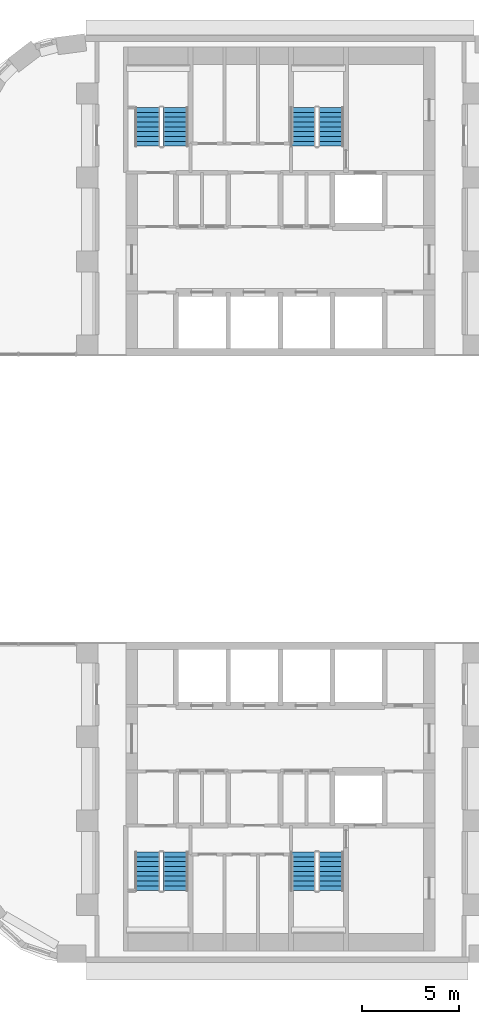
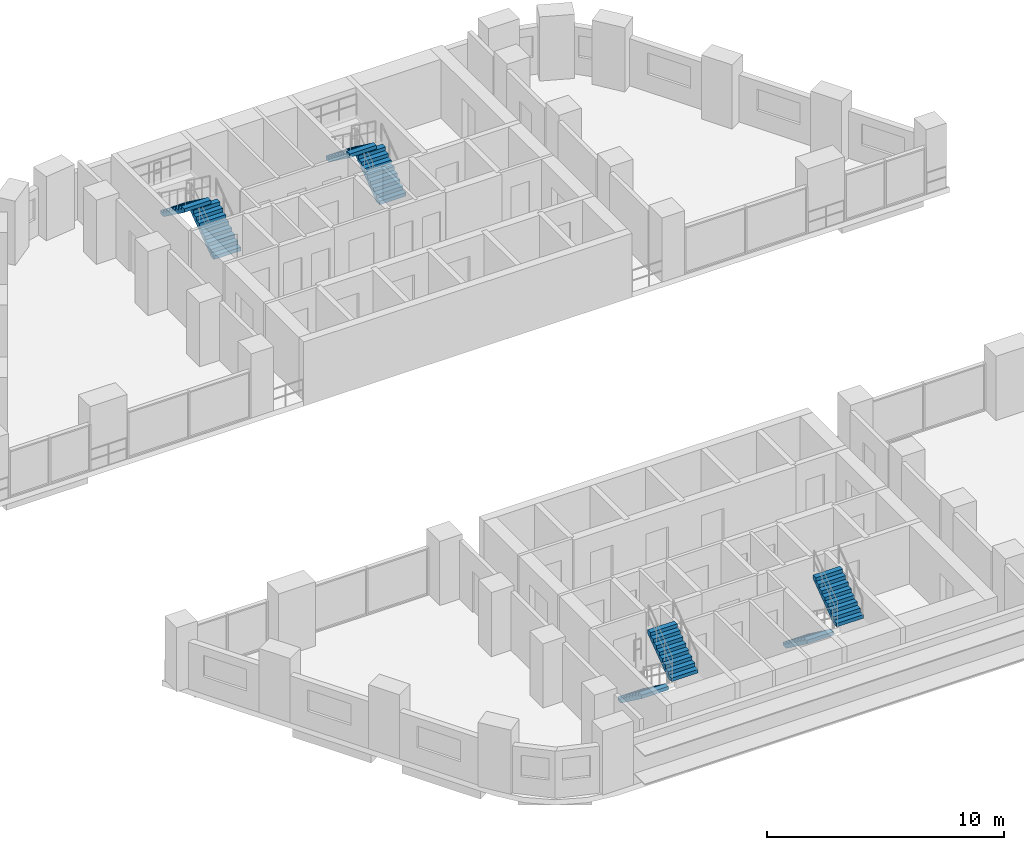
# One storey, part 9 of 11: 8 stair flights, 4 elements without a shape of their own.
"""IFC4 building model written with IfcOpenShell, lengths in metres."""

from ifc_helpers import new_model, si_unit, direction, frame, origin, place, context, subcontext, project, spatial, polyline, outline, extrude, material, type_object, element, aggregate, save


model = new_model("IFC4")

# Units and contexts
model_context = context("Model", 3, precision=1e-05, world=origin(), true_north=direction((0.0, 1.0)))
body_context = subcontext(model_context, "Body", "Model", "MODEL_VIEW")
ifc_project = project(units=[si_unit("LENGTHUNIT", "METRE"), si_unit("AREAUNIT", "SQUARE_METRE"), si_unit("VOLUMEUNIT", "CUBIC_METRE"), si_unit("PLANEANGLEUNIT", "RADIAN"), si_unit("MASSUNIT", "GRAM", prefix="KILO")], contexts=[model_context])

# Site, building, storey
site_placement = place(None, origin())
site = spatial("IfcSite", under=ifc_project, at=site_placement, CompositionType="ELEMENT")
building_placement = place(site_placement, origin())
building = spatial("IfcBuilding", under=site, at=building_placement, Name="Nakaniwa Court", CompositionType="ELEMENT")
storey_placement = place(building_placement, frame((0.0, 0.0, 31.5)))
storey = spatial("IfcBuildingStorey", under=building, at=storey_placement, Name="L07", CompositionType="ELEMENT", Elevation=31.5)

# Stair, stair flights
ifc_material = material(Name="Concrete C80/100", Category="concrete")
stair_type = type_object("IfcStairType", Name="Dog leg stair 1300 wide 18 risers", PredefinedType="HALF_TURN_STAIR", material=ifc_material)
stair_1_placement = place(storey_placement, origin())
stair_1 = element("IfcStair", 1, at=stair_1_placement, inside=storey, type_object=stair_type, Name="L07 Stair ST1", PredefinedType="HALF_TURN_STAIR")
stair_flight_type = type_object("IfcStairFlightType", Name="Stair flight 1300 wide 9 risers", PredefinedType="STRAIGHT", material=ifc_material)
stair_flight_1_placement = place(storey_placement, frame((74.574951171875, 98.27490234375, 0.0), z_axis=(0.0, 0.0, 1.0), x_axis=(0.0, 1.0, 0.0)))
stair_flight_1 = element("IfcStairFlight", 2, at=stair_flight_1_placement, type_object=stair_flight_type, Name="ST1 flight 1", NumberOfRisers=9, NumberOfTreads=8, PredefinedType="STRAIGHT", RiserHeight=0.183333333, TreadLength=0.25, context=body_context, shape_type="SweptSolid", body=[
    extrude(outline(polyline([(0.0, 0.0), (0.0, 0.026123046875), (0.0, 0.052490234375), (0.0, 0.07861328125), (0.0, 0.104736328125), (0.0, 0.130859375), (0.0, 0.1572265625), (0.0, 0.183349609375), (0.25, 0.183349609375), (0.25, 0.36669921875), (0.5, 0.36669921875), (0.5, 0.550048828125), (0.75, 0.550048828125), (0.75, 0.7333984375), (1.0, 0.7333984375), (1.0, 0.916748046875), (1.25, 0.916748046875), (1.25, 1.10009765625), (1.5, 1.10009765625), (1.5, 1.283447265625), (1.75, 1.283447265625), (1.75, 1.466552734375), (2.0, 1.466552734375), (2.0, 1.64990234375), (2.0, 1.59716796875), (2.0, 1.54443359375), (2.0, 1.49169921875), (2.0, 1.43896484375), (2.0, 1.38623046875), (2.0, 1.33349609375), (2.0, 1.28076171875), (0.25341796875, 0.0), (0.0, 0.0)])), frame((0.0, 0.64990234375, 0.0), z_axis=(0.0, -1.0, 0.0), x_axis=(1.0, 0.0, 0.0)), (0.0, 0.0, 1.0), 1.300048828125),
])
stair_flight_2_placement = place(storey_placement, frame((73.125, 100.27490234375, 1.64990234375), z_axis=(0.0, 0.0, 1.0), x_axis=(0.0, -1.0, 0.0)))
stair_flight_2 = element("IfcStairFlight", 3, at=stair_flight_2_placement, type_object=stair_flight_type, Name="ST1 flight 2", NumberOfRisers=9, NumberOfTreads=8, PredefinedType="STRAIGHT", RiserHeight=0.183333333, TreadLength=0.25, context=body_context, shape_type="SweptSolid", body=[
    extrude(outline(polyline([(0.0, 0.0), (0.0, 0.026123046875), (0.0, 0.052490234375), (0.0, 0.07861328125), (0.0, 0.104736328125), (0.0, 0.130859375), (0.0, 0.1572265625), (0.0, 0.183349609375), (0.25, 0.183349609375), (0.25, 0.36669921875), (0.5, 0.36669921875), (0.5, 0.550048828125), (0.75, 0.550048828125), (0.75, 0.7333984375), (1.0, 0.7333984375), (1.0, 0.916748046875), (1.25, 0.916748046875), (1.25, 1.10009765625), (1.5, 1.10009765625), (1.5, 1.283447265625), (1.75, 1.283447265625), (1.75, 1.466552734375), (2.0, 1.466552734375), (2.0, 1.64990234375), (2.0, 1.59716796875), (2.0, 1.54443359375), (2.0, 1.49169921875), (2.0, 1.43896484375), (2.0, 1.38623046875), (2.0, 1.33349609375), (2.0, 1.28076171875), (0.25341796875, 0.0), (0.0, 0.0)])), frame((0.0, 0.64990234375, 0.0), z_axis=(0.0, -1.0, 0.0), x_axis=(1.0, 0.0, 0.0)), (0.0, 0.0, 1.0), 1.300048828125),
])
aggregate(stair_1, [stair_flight_1, stair_flight_2])

stair_2_placement = place(storey_placement, origin())
stair_2 = element("IfcStair", 4, at=stair_2_placement, inside=storey, type_object=stair_type, Name="L07 Stair ST2", PredefinedType="HALF_TURN_STAIR")
stair_flight_3_placement = place(storey_placement, frame((82.625, 98.27490234375, 0.0), z_axis=(0.0, 0.0, 1.0), x_axis=(0.0, 1.0, 0.0)))
stair_flight_3 = element("IfcStairFlight", 5, at=stair_flight_3_placement, type_object=stair_flight_type, Name="ST2 flight 1", NumberOfRisers=9, NumberOfTreads=8, PredefinedType="STRAIGHT", RiserHeight=0.183333333, TreadLength=0.25, context=body_context, shape_type="SweptSolid", body=[
    extrude(outline(polyline([(0.0, 0.0), (0.0, 0.026123046875), (0.0, 0.052490234375), (0.0, 0.07861328125), (0.0, 0.104736328125), (0.0, 0.130859375), (0.0, 0.1572265625), (0.0, 0.183349609375), (0.25, 0.183349609375), (0.25, 0.36669921875), (0.5, 0.36669921875), (0.5, 0.550048828125), (0.75, 0.550048828125), (0.75, 0.7333984375), (1.0, 0.7333984375), (1.0, 0.916748046875), (1.25, 0.916748046875), (1.25, 1.10009765625), (1.5, 1.10009765625), (1.5, 1.283447265625), (1.75, 1.283447265625), (1.75, 1.466552734375), (2.0, 1.466552734375), (2.0, 1.64990234375), (2.0, 1.59716796875), (2.0, 1.54443359375), (2.0, 1.49169921875), (2.0, 1.43896484375), (2.0, 1.38623046875), (2.0, 1.33349609375), (2.0, 1.28076171875), (0.25341796875, 0.0), (0.0, 0.0)])), frame((0.0, 0.64990234375, 0.0), z_axis=(0.0, -1.0, 0.0), x_axis=(1.0, 0.0, 0.0)), (0.0, 0.0, 1.0), 1.300048828125),
])
stair_flight_4_placement = place(storey_placement, frame((81.175048828125, 100.27490234375, 1.64990234375), z_axis=(0.0, 0.0, 1.0), x_axis=(0.0, -1.0, 0.0)))
stair_flight_4 = element("IfcStairFlight", 6, at=stair_flight_4_placement, type_object=stair_flight_type, Name="ST2 flight 2", NumberOfRisers=9, NumberOfTreads=8, PredefinedType="STRAIGHT", RiserHeight=0.183333333, TreadLength=0.25, context=body_context, shape_type="SweptSolid", body=[
    extrude(outline(polyline([(0.0, 0.0), (0.0, 0.026123046875), (0.0, 0.052490234375), (0.0, 0.07861328125), (0.0, 0.104736328125), (0.0, 0.130859375), (0.0, 0.1572265625), (0.0, 0.183349609375), (0.25, 0.183349609375), (0.25, 0.36669921875), (0.5, 0.36669921875), (0.5, 0.550048828125), (0.75, 0.550048828125), (0.75, 0.7333984375), (1.0, 0.7333984375), (1.0, 0.916748046875), (1.25, 0.916748046875), (1.25, 1.10009765625), (1.5, 1.10009765625), (1.5, 1.283447265625), (1.75, 1.283447265625), (1.75, 1.466552734375), (2.0, 1.466552734375), (2.0, 1.64990234375), (2.0, 1.59716796875), (2.0, 1.54443359375), (2.0, 1.49169921875), (2.0, 1.43896484375), (2.0, 1.38623046875), (2.0, 1.33349609375), (2.0, 1.28076171875), (0.25341796875, 0.0), (0.0, 0.0)])), frame((0.0, 0.64990234375, 0.0), z_axis=(0.0, -1.0, 0.0), x_axis=(1.0, 0.0, 0.0)), (0.0, 0.0, 1.0), 1.300048828125),
])
aggregate(stair_2, [stair_flight_3, stair_flight_4])

stair_3_placement = place(storey_placement, origin())
stair_3 = element("IfcStair", 7, at=stair_3_placement, inside=storey, type_object=stair_type, Name="L07 Stair ST3", PredefinedType="HALF_TURN_STAIR")
stair_flight_5_placement = place(storey_placement, frame((73.125, 61.72509765625, 0.0), z_axis=(0.0, 0.0, 1.0), x_axis=(0.0, -1.0, 0.0)))
stair_flight_5 = element("IfcStairFlight", 8, at=stair_flight_5_placement, type_object=stair_flight_type, Name="ST3 flight 1", NumberOfRisers=9, NumberOfTreads=8, PredefinedType="STRAIGHT", RiserHeight=0.183333333, TreadLength=0.25, context=body_context, shape_type="SweptSolid", body=[
    extrude(outline(polyline([(0.0, 0.0), (0.0, 0.026123046875), (0.0, 0.052490234375), (0.0, 0.07861328125), (0.0, 0.104736328125), (0.0, 0.130859375), (0.0, 0.1572265625), (0.0, 0.183349609375), (0.25, 0.183349609375), (0.25, 0.36669921875), (0.5, 0.36669921875), (0.5, 0.550048828125), (0.75, 0.550048828125), (0.75, 0.7333984375), (1.0, 0.7333984375), (1.0, 0.916748046875), (1.25, 0.916748046875), (1.25, 1.10009765625), (1.5, 1.10009765625), (1.5, 1.283447265625), (1.75, 1.283447265625), (1.75, 1.466552734375), (2.0, 1.466552734375), (2.0, 1.64990234375), (2.0, 1.59716796875), (2.0, 1.54443359375), (2.0, 1.49169921875), (2.0, 1.43896484375), (2.0, 1.38623046875), (2.0, 1.33349609375), (2.0, 1.28076171875), (0.25341796875, 0.0), (0.0, 0.0)])), frame((0.0, 0.64990234375, 0.0), z_axis=(0.0, -1.0, 0.0), x_axis=(1.0, 0.0, 0.0)), (0.0, 0.0, 1.0), 1.300048828125),
])
stair_flight_6_placement = place(storey_placement, frame((74.574951171875, 59.72509765625, 1.64990234375), z_axis=(0.0, 0.0, 1.0), x_axis=(0.0, 1.0, 0.0)))
stair_flight_6 = element("IfcStairFlight", 9, at=stair_flight_6_placement, type_object=stair_flight_type, Name="ST3 flight 2", NumberOfRisers=9, NumberOfTreads=8, PredefinedType="STRAIGHT", RiserHeight=0.183333333, TreadLength=0.25, context=body_context, shape_type="SweptSolid", body=[
    extrude(outline(polyline([(0.0, 0.0), (0.0, 0.026123046875), (0.0, 0.052490234375), (0.0, 0.07861328125), (0.0, 0.104736328125), (0.0, 0.130859375), (0.0, 0.1572265625), (0.0, 0.183349609375), (0.25, 0.183349609375), (0.25, 0.36669921875), (0.5, 0.36669921875), (0.5, 0.550048828125), (0.75, 0.550048828125), (0.75, 0.7333984375), (1.0, 0.7333984375), (1.0, 0.916748046875), (1.25, 0.916748046875), (1.25, 1.10009765625), (1.5, 1.10009765625), (1.5, 1.283447265625), (1.75, 1.283447265625), (1.75, 1.466552734375), (2.0, 1.466552734375), (2.0, 1.64990234375), (2.0, 1.59716796875), (2.0, 1.54443359375), (2.0, 1.49169921875), (2.0, 1.43896484375), (2.0, 1.38623046875), (2.0, 1.33349609375), (2.0, 1.28076171875), (0.25341796875, 0.0), (0.0, 0.0)])), frame((0.0, 0.64990234375, 0.0), z_axis=(0.0, -1.0, 0.0), x_axis=(1.0, 0.0, 0.0)), (0.0, 0.0, 1.0), 1.300048828125),
])
aggregate(stair_3, [stair_flight_5, stair_flight_6])

stair_4_placement = place(storey_placement, origin())
stair_4 = element("IfcStair", 10, at=stair_4_placement, inside=storey, type_object=stair_type, Name="L07 Stair ST4", PredefinedType="HALF_TURN_STAIR")
stair_flight_7_placement = place(storey_placement, frame((81.175048828125, 61.72509765625, 0.0), z_axis=(0.0, 0.0, 1.0), x_axis=(0.0, -1.0, 0.0)))
stair_flight_7 = element("IfcStairFlight", 11, at=stair_flight_7_placement, type_object=stair_flight_type, Name="ST4 flight 1", NumberOfRisers=9, NumberOfTreads=8, PredefinedType="STRAIGHT", RiserHeight=0.183333333, TreadLength=0.25, context=body_context, shape_type="SweptSolid", body=[
    extrude(outline(polyline([(0.0, 0.0), (0.0, 0.026123046875), (0.0, 0.052490234375), (0.0, 0.07861328125), (0.0, 0.104736328125), (0.0, 0.130859375), (0.0, 0.1572265625), (0.0, 0.183349609375), (0.25, 0.183349609375), (0.25, 0.36669921875), (0.5, 0.36669921875), (0.5, 0.550048828125), (0.75, 0.550048828125), (0.75, 0.7333984375), (1.0, 0.7333984375), (1.0, 0.916748046875), (1.25, 0.916748046875), (1.25, 1.10009765625), (1.5, 1.10009765625), (1.5, 1.283447265625), (1.75, 1.283447265625), (1.75, 1.466552734375), (2.0, 1.466552734375), (2.0, 1.64990234375), (2.0, 1.59716796875), (2.0, 1.54443359375), (2.0, 1.49169921875), (2.0, 1.43896484375), (2.0, 1.38623046875), (2.0, 1.33349609375), (2.0, 1.28076171875), (0.25341796875, 0.0), (0.0, 0.0)])), frame((0.0, 0.64990234375, 0.0), z_axis=(0.0, -1.0, 0.0), x_axis=(1.0, 0.0, 0.0)), (0.0, 0.0, 1.0), 1.300048828125),
])
stair_flight_8_placement = place(storey_placement, frame((82.625, 59.72509765625, 1.64990234375), z_axis=(0.0, 0.0, 1.0), x_axis=(0.0, 1.0, 0.0)))
stair_flight_8 = element("IfcStairFlight", 12, at=stair_flight_8_placement, type_object=stair_flight_type, Name="ST4 flight 2", NumberOfRisers=9, NumberOfTreads=8, PredefinedType="STRAIGHT", RiserHeight=0.183333333, TreadLength=0.25, context=body_context, shape_type="SweptSolid", body=[
    extrude(outline(polyline([(0.0, 0.0), (0.0, 0.026123046875), (0.0, 0.052490234375), (0.0, 0.07861328125), (0.0, 0.104736328125), (0.0, 0.130859375), (0.0, 0.1572265625), (0.0, 0.183349609375), (0.25, 0.183349609375), (0.25, 0.36669921875), (0.5, 0.36669921875), (0.5, 0.550048828125), (0.75, 0.550048828125), (0.75, 0.7333984375), (1.0, 0.7333984375), (1.0, 0.916748046875), (1.25, 0.916748046875), (1.25, 1.10009765625), (1.5, 1.10009765625), (1.5, 1.283447265625), (1.75, 1.283447265625), (1.75, 1.466552734375), (2.0, 1.466552734375), (2.0, 1.64990234375), (2.0, 1.59716796875), (2.0, 1.54443359375), (2.0, 1.49169921875), (2.0, 1.43896484375), (2.0, 1.38623046875), (2.0, 1.33349609375), (2.0, 1.28076171875), (0.25341796875, 0.0), (0.0, 0.0)])), frame((0.0, 0.64990234375, 0.0), z_axis=(0.0, -1.0, 0.0), x_axis=(1.0, 0.0, 0.0)), (0.0, 0.0, 1.0), 1.300048828125),
])
aggregate(stair_4, [stair_flight_7, stair_flight_8])

save(model, "model.ifc")
